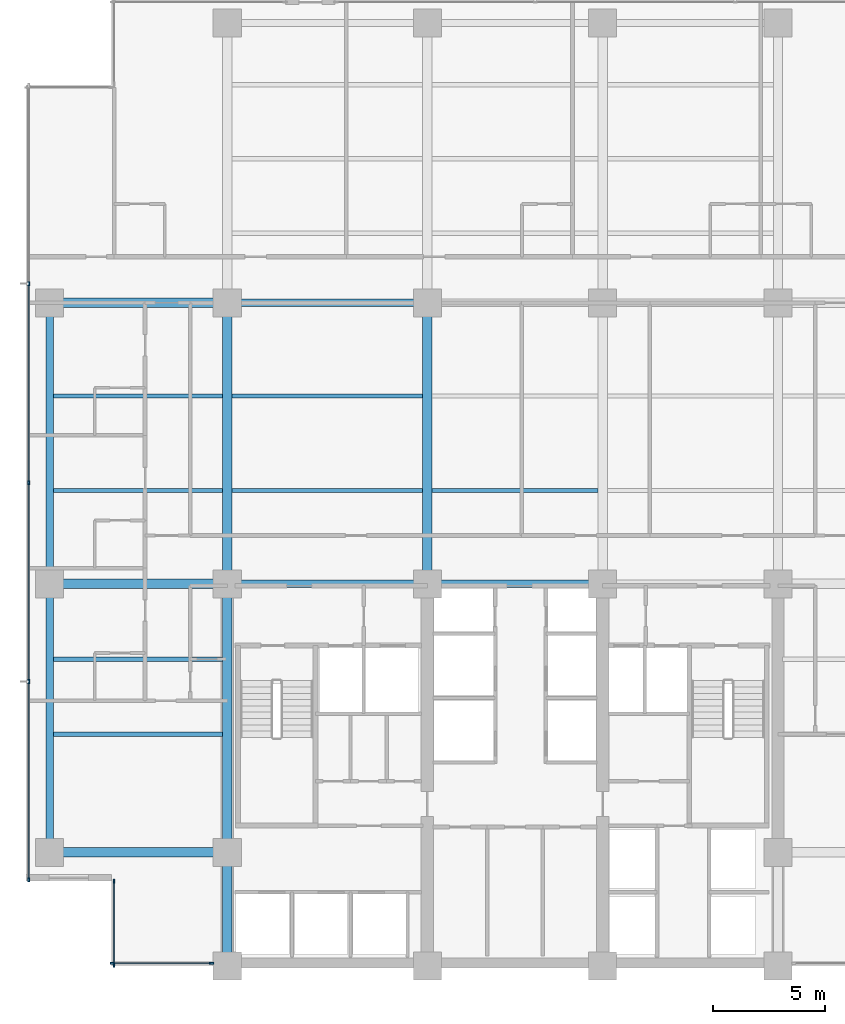
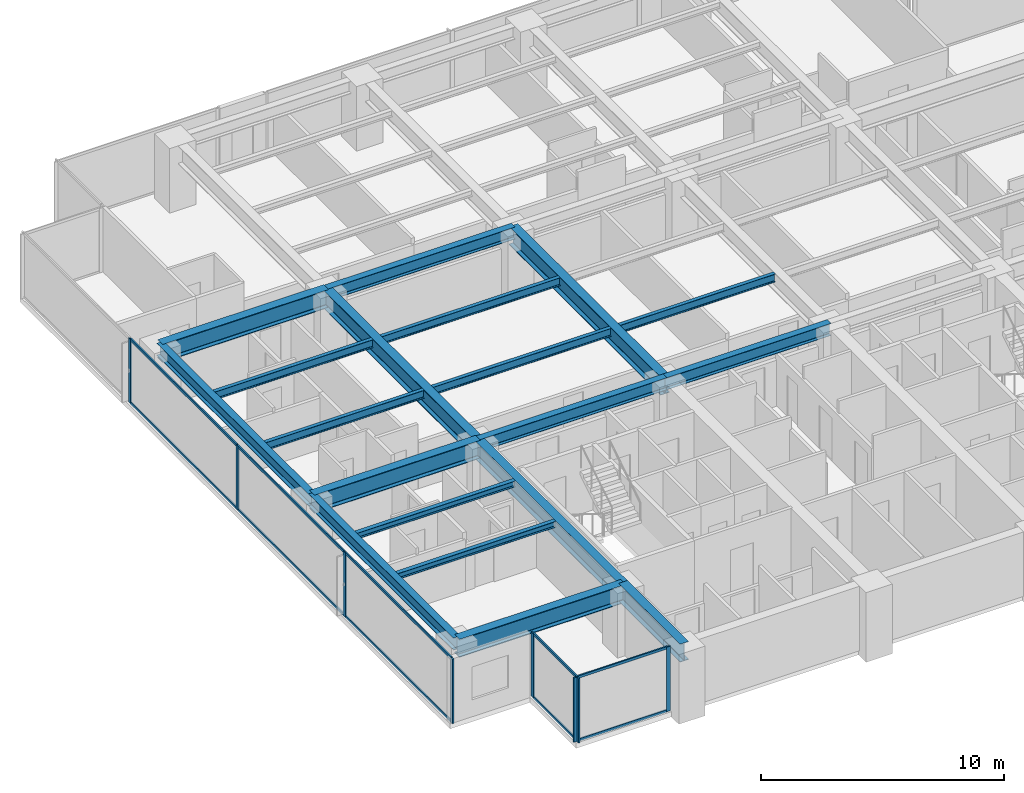
# One storey, part 2 of 18: 19 beams, 18 members, 3 elements without a shape of their own.
"""IFC4 building model written with IfcOpenShell, lengths in metres."""

from ifc_helpers import new_model, si_unit, direction, frame, origin, origin_2d, place, context, subcontext, project, spatial, rectangle, i_section, extrude, material, layer, layer_set, material_profile, profile_set, type_object, element, aggregate, save


model = new_model("IFC4")

# Units and contexts
model_context = context("Model", 3, precision=1e-05, world=origin(), true_north=direction((0.0, 1.0)))
body_context = subcontext(model_context, "Body", "Model", "MODEL_VIEW")
ifc_project = project(units=[si_unit("LENGTHUNIT", "METRE"), si_unit("AREAUNIT", "SQUARE_METRE"), si_unit("VOLUMEUNIT", "CUBIC_METRE"), si_unit("PLANEANGLEUNIT", "RADIAN"), si_unit("MASSUNIT", "GRAM", prefix="KILO")], contexts=[model_context])

# Site, building, storey
site_placement = place(None, origin())
site = spatial("IfcSite", under=ifc_project, at=site_placement, CompositionType="ELEMENT")
building_placement = place(site_placement, origin())
building = spatial("IfcBuilding", under=site, at=building_placement, Name="Qalmaran Belvedere Hotel", CompositionType="ELEMENT")
storey_placement = place(building_placement, frame((0.0, 0.0, 95.199951171875)))
storey = spatial("IfcBuildingStorey", under=building, at=storey_placement, Name="L23", CompositionType="ELEMENT", Elevation=95.199951171875)

# Beams
ifc_material_1 = material(Name="Steel S355JR", Category="steel")
ifc_material_profile_1 = material_profile(ifc_material_1, i_section(OverallWidth=0.202880859375, OverallDepth=0.302978515625, WebThickness=0.007568359375, FlangeThickness=0.01318359375, FilletRadius=0.012939453125, at=origin_2d()), Name="W310X60")
ifc_profile_set_1 = profile_set([ifc_material_profile_1], Name="Steel S355JR")
beam_type_1 = type_object("IfcBeamType", Name="BM-JST-W310X60", PredefinedType="JOIST", material=ifc_profile_set_1)
for number, where, z_axis, x_axis, name in (
    (1, (12.5615234375, 13.800048828125, 3.088623046875), (1.0, 0.0, 0.0), (0.0, 1.0, 0.0), "L23 West Wing Joist 038"),
    (2, (12.5615234375, 17.14990234375, 3.088623046875), (1.0, 0.0, 0.0), (0.0, 1.0, 0.0), "L23 West Wing Joist 040"),
):
    element("IfcBeam", number, at=place(storey_placement, frame(where, z_axis=z_axis, x_axis=x_axis)), inside=storey, type_object=beam_type_1, Name=name, PredefinedType="JOIST", context=body_context, shape_type="SweptSolid", body=[
        extrude(i_section(OverallWidth=0.202880859375, OverallDepth=0.302978515625, WebThickness=0.007568359375, FlangeThickness=0.01318359375, FilletRadius=0.012939453125, at=origin_2d()), origin(), (0.0, 0.0, 1.0), 7.531494140625),
    ])
ifc_material_profile_2 = material_profile(ifc_material_1, i_section(OverallWidth=0.41796875, OverallDepth=0.912109375, WebThickness=0.019287109375, FlangeThickness=0.031982421875, FilletRadius=0.02392578125, at=origin_2d()), Name="W920X342")
ifc_profile_set_2 = profile_set([ifc_material_profile_2], Name="Steel S355JR")
beam_type_2 = type_object("IfcBeamType", Name="BM-PG2-W920X342", PredefinedType="USERDEFINED", material=ifc_profile_set_2)
for number, where, z_axis, x_axis, name in (
    (3, (20.300048828125, 20.5, 2.783935546875), (0.0, 1.0, 0.0), (-1.0, 0.0, 0.0), "L23 Mid-Plate N-S Girder 14"),
    (4, (29.199951171875, 20.5, 2.783935546875), (0.0, 1.0, 0.0), (-1.0, 0.0, 0.0), "L23 Mid-Plate N-S Girder 16"),
):
    element("IfcBeam", number, at=place(storey_placement, frame(where, z_axis=z_axis, x_axis=x_axis)), inside=storey, type_object=beam_type_2, Name=name, ObjectType="GIRDER", PredefinedType="USERDEFINED", context=body_context, shape_type="SweptSolid", body=[
        extrude(i_section(OverallWidth=0.41796875, OverallDepth=0.912109375, WebThickness=0.019287109375, FlangeThickness=0.031982421875, FilletRadius=0.02392578125, at=origin_2d()), origin(), (0.0, 0.0, 1.0), 12.5),
    ])
for number, where, z_axis, x_axis, name in (
    (5, (12.39990234375, 8.550048828125, 2.783935546875), (1.0, 0.0, 0.0), (0.0, 1.0, 0.0), "L23 West Wing Girder 22"),
    (6, (12.39990234375, 20.5, 2.783935546875), (1.0, 0.0, 0.0), (0.0, 1.0, 0.0), "L23 West Wing Girder 23"),
    (7, (12.39990234375, 33.0, 2.783935546875), (1.0, 0.0, 0.0), (0.0, 1.0, 0.0), "L23 West Wing Girder 24"),
):
    element("IfcBeam", number, at=place(storey_placement, frame(where, z_axis=z_axis, x_axis=x_axis)), inside=storey, type_object=beam_type_2, Name=name, ObjectType="GIRDER", PredefinedType="USERDEFINED", context=body_context, shape_type="SweptSolid", body=[
        extrude(i_section(OverallWidth=0.41796875, OverallDepth=0.912109375, WebThickness=0.019287109375, FlangeThickness=0.031982421875, FilletRadius=0.02392578125, at=origin_2d()), origin(), (0.0, 0.0, 1.0), 7.900146484375),
    ])
beam_1_placement = place(storey_placement, frame((20.300048828125, 3.5, 2.783935546875), z_axis=(0.0, 1.0, 0.0), x_axis=(-1.0, 0.0, 0.0)))
element("IfcBeam", 8, at=beam_1_placement, inside=storey, type_object=beam_type_2, Name="L23 West Core Edge Girder A", ObjectType="GIRDER", PredefinedType="USERDEFINED", context=body_context, shape_type="SweptSolid", body=[
    extrude(i_section(OverallWidth=0.41796875, OverallDepth=0.912109375, WebThickness=0.019287109375, FlangeThickness=0.031982421875, FilletRadius=0.02392578125, at=origin_2d()), origin(), (0.0, 0.0, 1.0), 5.050048828125),
])
beam_2_placement = place(storey_placement, frame((20.300048828125, 8.550048828125, 2.783935546875), z_axis=(0.0, 1.0, 0.0), x_axis=(-1.0, 0.0, 0.0)))
element("IfcBeam", 9, at=beam_2_placement, inside=storey, type_object=beam_type_2, Name="L23 West Core Edge Girder B", ObjectType="GIRDER", PredefinedType="USERDEFINED", context=body_context, shape_type="SweptSolid", body=[
    extrude(i_section(OverallWidth=0.41796875, OverallDepth=0.912109375, WebThickness=0.019287109375, FlangeThickness=0.031982421875, FilletRadius=0.02392578125, at=origin_2d()), origin(), (0.0, 0.0, 1.0), 11.949951171875),
])
ifc_material_profile_3 = material_profile(ifc_material_1, i_section(OverallWidth=0.177978515625, OverallDepth=0.406982421875, WebThickness=0.0078125, FlangeThickness=0.0126953125, FilletRadius=0.014892578125, at=origin_2d()), Name="W410X60")
ifc_profile_set_3 = profile_set([ifc_material_profile_3], Name="Steel S355JR")
beam_type_3 = type_object("IfcBeamType", Name="BM-SB2-W410X60", PredefinedType="BEAM", material=ifc_profile_set_3)
beam_3_placement = place(storey_placement, frame((12.5615234375, 24.64990234375, 3.03662109375), z_axis=(1.0, 0.0, 0.0), x_axis=(0.0, 1.0, 0.0)))
element("IfcBeam", 10, at=beam_3_placement, inside=storey, type_object=beam_type_3, Name="L23 West Secondary Beam 028", PredefinedType="BEAM", context=body_context, shape_type="SweptSolid", body=[
    extrude(i_section(OverallWidth=0.177978515625, OverallDepth=0.406982421875, WebThickness=0.0078125, FlangeThickness=0.0126953125, FilletRadius=0.014892578125, at=origin_2d()), origin(), (0.0, 0.0, 1.0), 7.531494140625),
])
beam_4_placement = place(storey_placement, frame((20.507080078125, 24.64990234375, 3.03662109375), z_axis=(1.0, 0.0, 0.0), x_axis=(0.0, 1.0, 0.0)))
element("IfcBeam", 11, at=beam_4_placement, inside=storey, type_object=beam_type_3, Name="L23 Secondary Floor Beam 029", PredefinedType="BEAM", context=body_context, shape_type="SweptSolid", body=[
    extrude(i_section(OverallWidth=0.177978515625, OverallDepth=0.406982421875, WebThickness=0.0078125, FlangeThickness=0.0126953125, FilletRadius=0.014892578125, at=origin_2d()), origin(), (0.0, 0.0, 1.0), 8.48583984375),
])
beam_5_placement = place(storey_placement, frame((29.406982421875, 24.64990234375, 3.03662109375), z_axis=(1.0, 0.0, 0.0), x_axis=(0.0, 1.0, 0.0)))
element("IfcBeam", 12, at=beam_5_placement, inside=storey, type_object=beam_type_3, Name="L23 Secondary Floor Beam 030", PredefinedType="BEAM", context=body_context, shape_type="SweptSolid", body=[
    extrude(i_section(OverallWidth=0.177978515625, OverallDepth=0.406982421875, WebThickness=0.0078125, FlangeThickness=0.0126953125, FilletRadius=0.014892578125, at=origin_2d()), origin(), (0.0, 0.0, 1.0), 7.385986328125),
])
beam_6_placement = place(storey_placement, frame((12.5615234375, 28.85009765625, 3.03662109375), z_axis=(1.0, 0.0, 0.0), x_axis=(0.0, 1.0, 0.0)))
element("IfcBeam", 13, at=beam_6_placement, inside=storey, type_object=beam_type_3, Name="L23 West Secondary Beam 033", PredefinedType="BEAM", context=body_context, shape_type="SweptSolid", body=[
    extrude(i_section(OverallWidth=0.177978515625, OverallDepth=0.406982421875, WebThickness=0.0078125, FlangeThickness=0.0126953125, FilletRadius=0.014892578125, at=origin_2d()), origin(), (0.0, 0.0, 1.0), 7.531494140625),
])
beam_7_placement = place(storey_placement, frame((20.507080078125, 28.85009765625, 3.03662109375), z_axis=(1.0, 0.0, 0.0), x_axis=(0.0, 1.0, 0.0)))
element("IfcBeam", 14, at=beam_7_placement, inside=storey, type_object=beam_type_3, Name="L23 Secondary Floor Beam 034", PredefinedType="BEAM", context=body_context, shape_type="SweptSolid", body=[
    extrude(i_section(OverallWidth=0.177978515625, OverallDepth=0.406982421875, WebThickness=0.0078125, FlangeThickness=0.0126953125, FilletRadius=0.014892578125, at=origin_2d()), origin(), (0.0, 0.0, 1.0), 8.48583984375),
])
ifc_material_profile_4 = material_profile(ifc_material_1, i_section(OverallWidth=0.326904296875, OverallDepth=0.6220703125, WebThickness=0.015380859375, FlangeThickness=0.0244140625, FilletRadius=0.02001953125, at=origin_2d()), Name="W610X195")
ifc_profile_set_4 = profile_set([ifc_material_profile_4], Name="Steel S355JR")
beam_type_4 = type_object("IfcBeamType", Name="BM-SP1-W610X195", PredefinedType="SPANDREL", material=ifc_profile_set_4)
beam_8_placement = place(storey_placement, frame((12.39990234375, 8.550048828125, 2.928955078125), z_axis=(0.0, 1.0, 0.0), x_axis=(-1.0, 0.0, 0.0)))
element("IfcBeam", 15, at=beam_8_placement, inside=storey, type_object=beam_type_4, Name="L23 Perimeter Spandrel 01", PredefinedType="SPANDREL", context=body_context, shape_type="SweptSolid", body=[
    extrude(i_section(OverallWidth=0.326904296875, OverallDepth=0.6220703125, WebThickness=0.015380859375, FlangeThickness=0.0244140625, FilletRadius=0.02001953125, at=origin_2d()), origin(), (0.0, 0.0, 1.0), 11.949951171875),
])
beam_9_placement = place(storey_placement, frame((12.39990234375, 20.5, 2.928955078125), z_axis=(0.0, 1.0, 0.0), x_axis=(-1.0, 0.0, 0.0)))
element("IfcBeam", 16, at=beam_9_placement, inside=storey, type_object=beam_type_4, Name="L23 Perimeter Spandrel 02", PredefinedType="SPANDREL", context=body_context, shape_type="SweptSolid", body=[
    extrude(i_section(OverallWidth=0.326904296875, OverallDepth=0.6220703125, WebThickness=0.015380859375, FlangeThickness=0.0244140625, FilletRadius=0.02001953125, at=origin_2d()), origin(), (0.0, 0.0, 1.0), 12.5),
])
ifc_material_profile_5 = material_profile(ifc_material_1, i_section(OverallWidth=0.323974609375, OverallDepth=0.611083984375, WebThickness=0.0126953125, FlangeThickness=0.01904296875, FilletRadius=0.02001953125, at=origin_2d()), Name="W610X155")
ifc_profile_set_5 = profile_set([ifc_material_profile_5], Name="Steel S355JR")
beam_type_5 = type_object("IfcBeamType", Name="BM-Z2-W610X155", PredefinedType="USERDEFINED", material=ifc_profile_set_5)
beam_10_placement = place(storey_placement, frame((20.300048828125, 20.5, 2.9345703125), z_axis=(1.0, 0.0, 0.0), x_axis=(0.0, 1.0, 0.0)))
element("IfcBeam", 17, at=beam_10_placement, inside=storey, type_object=beam_type_5, Name="L23 Interior E-W Girder 08", ObjectType="GIRDER", PredefinedType="USERDEFINED", context=body_context, shape_type="SweptSolid", body=[
    extrude(i_section(OverallWidth=0.323974609375, OverallDepth=0.611083984375, WebThickness=0.0126953125, FlangeThickness=0.01904296875, FilletRadius=0.02001953125, at=origin_2d()), origin(), (0.0, 0.0, 1.0), 8.89990234375),
])
beam_11_placement = place(storey_placement, frame((29.199951171875, 20.5, 2.9345703125), z_axis=(1.0, 0.0, 0.0), x_axis=(0.0, 1.0, 0.0)))
element("IfcBeam", 18, at=beam_11_placement, inside=storey, type_object=beam_type_5, Name="L23 Interior E-W Girder 09", ObjectType="GIRDER", PredefinedType="USERDEFINED", context=body_context, shape_type="SweptSolid", body=[
    extrude(i_section(OverallWidth=0.323974609375, OverallDepth=0.611083984375, WebThickness=0.0126953125, FlangeThickness=0.01904296875, FilletRadius=0.02001953125, at=origin_2d()), origin(), (0.0, 0.0, 1.0), 7.800048828125),
])
beam_12_placement = place(storey_placement, frame((20.300048828125, 33.0, 2.9345703125), z_axis=(1.0, 0.0, 0.0), x_axis=(0.0, 1.0, 0.0)))
element("IfcBeam", 19, at=beam_12_placement, inside=storey, type_object=beam_type_5, Name="L23 Interior E-W Girder 11", ObjectType="GIRDER", PredefinedType="USERDEFINED", context=body_context, shape_type="SweptSolid", body=[
    extrude(i_section(OverallWidth=0.323974609375, OverallDepth=0.611083984375, WebThickness=0.0126953125, FlangeThickness=0.01904296875, FilletRadius=0.02001953125, at=origin_2d()), origin(), (0.0, 0.0, 1.0), 8.89990234375),
])

# Curtain wall, members
ifc_material_2 = material(Name="Anodised Bronze Aluminium", Category="aluminium")
ifc_layer = layer(ifc_material_2, 0.199951171875, Name="Anodised Bronze Aluminium")
ifc_layer_set = layer_set([ifc_layer], Name="Anodised Bronze Aluminium")
curtain_wall_type = type_object("IfcCurtainWallType", Name="CW3-TOWER-LOWMID", PredefinedType="NOTDEFINED", material=ifc_layer_set)
curtain_wall_1_placement = place(storey_placement, origin())
curtain_wall_1 = element("IfcCurtainWall", 20, at=curtain_wall_1_placement, inside=storey, type_object=curtain_wall_type, Name="L23 Curtain Wall CW3", PredefinedType="NOTDEFINED")
ifc_material_profile_6 = material_profile(ifc_material_2, rectangle(XDim=0.070068359375, YDim=0.18994140625, at=origin_2d()), Name="CWM70X190")
ifc_profile_set_6 = profile_set([ifc_material_profile_6], Name="Anodised Bronze Aluminium")
member_type_1 = type_object("IfcMemberType", Name="CWM-70X190", PredefinedType="MULLION", material=ifc_profile_set_6)
member_1_placement = place(storey_placement, frame((15.18505859375, 3.6201171875, 0.0), z_axis=(0.0, 0.0, 1.0), x_axis=(0.0, 1.0, 0.0)))
member_1 = element("IfcMember", 21, at=member_1_placement, type_object=member_type_1, Name="CW3 mullion 1", PredefinedType="MULLION", context=body_context, shape_type="SweptSolid", body=[
    extrude(rectangle(XDim=0.070068359375, YDim=0.18994140625, at=origin_2d()), origin(), (0.0, 0.0, 1.0), 3.239990234375),
])
member_2_placement = place(storey_placement, frame((19.60009765625, 3.6201171875, 0.0), z_axis=(0.0, 0.0, 1.0), x_axis=(0.0, 1.0, 0.0)))
member_2 = element("IfcMember", 22, at=member_2_placement, type_object=member_type_1, Name="CW3 mullion 2", PredefinedType="MULLION", context=body_context, shape_type="SweptSolid", body=[
    extrude(rectangle(XDim=0.070068359375, YDim=0.18994140625, at=origin_2d()), origin(), (0.0, 0.0, 1.0), 3.239990234375),
])

curtain_wall_2_placement = place(storey_placement, origin())
curtain_wall_2 = element("IfcCurtainWall", 23, at=curtain_wall_2_placement, inside=storey, type_object=curtain_wall_type, Name="L23 Curtain Wall CW3", PredefinedType="NOTDEFINED")
member_3_placement = place(storey_placement, frame((11.469970703125, 33.85009765625, 0.0), z_axis=(0.0, 0.0, 1.0), x_axis=(1.0, 0.0, 0.0)))
member_3 = element("IfcMember", 24, at=member_3_placement, type_object=member_type_1, Name="CW3 mullion 2", PredefinedType="MULLION", context=body_context, shape_type="SweptSolid", body=[
    extrude(rectangle(XDim=0.070068359375, YDim=0.18994140625, at=origin_2d()), origin(), (0.0, 0.0, 1.0), 3.239990234375),
])
member_4_placement = place(storey_placement, frame((11.469970703125, 25.0, 0.0), z_axis=(0.0, 0.0, 1.0), x_axis=(1.0, 0.0, 0.0)))
member_4 = element("IfcMember", 25, at=member_4_placement, type_object=member_type_1, Name="CW3 mullion 3", PredefinedType="MULLION", context=body_context, shape_type="SweptSolid", body=[
    extrude(rectangle(XDim=0.070068359375, YDim=0.18994140625, at=origin_2d()), origin(), (0.0, 0.0, 1.0), 3.239990234375),
])
member_5_placement = place(storey_placement, frame((11.469970703125, 16.14990234375, 0.0), z_axis=(0.0, 0.0, 1.0), x_axis=(1.0, 0.0, 0.0)))
member_5 = element("IfcMember", 26, at=member_5_placement, type_object=member_type_1, Name="CW3 mullion 4", PredefinedType="MULLION", context=body_context, shape_type="SweptSolid", body=[
    extrude(rectangle(XDim=0.070068359375, YDim=0.18994140625, at=origin_2d()), origin(), (0.0, 0.0, 1.0), 3.239990234375),
])
member_6_placement = place(storey_placement, frame((11.469970703125, 7.3349609375, 0.0), z_axis=(0.0, 0.0, 1.0), x_axis=(1.0, 0.0, 0.0)))
member_6 = element("IfcMember", 27, at=member_6_placement, type_object=member_type_1, Name="CW3 mullion 5", PredefinedType="MULLION", context=body_context, shape_type="SweptSolid", body=[
    extrude(rectangle(XDim=0.070068359375, YDim=0.18994140625, at=origin_2d()), origin(), (0.0, 0.0, 1.0), 3.239990234375),
])

curtain_wall_3_placement = place(storey_placement, origin())
curtain_wall_3 = element("IfcCurtainWall", 28, at=curtain_wall_3_placement, inside=storey, type_object=curtain_wall_type, Name="L23 Curtain Wall CW3", PredefinedType="NOTDEFINED")
member_7_placement = place(storey_placement, frame((15.27001953125, 7.264892578125, 0.0), z_axis=(0.0, 0.0, 1.0), x_axis=(1.0, 0.0, 0.0)))
member_7 = element("IfcMember", 29, at=member_7_placement, type_object=member_type_1, Name="CW3 mullion 1", PredefinedType="MULLION", context=body_context, shape_type="SweptSolid", body=[
    extrude(rectangle(XDim=0.070068359375, YDim=0.18994140625, at=origin_2d()), origin(), (0.0, 0.0, 1.0), 3.239990234375),
])
member_8_placement = place(storey_placement, frame((15.27001953125, 3.534912109375, 0.0), z_axis=(0.0, 0.0, 1.0), x_axis=(1.0, 0.0, 0.0)))
member_8 = element("IfcMember", 30, at=member_8_placement, type_object=member_type_1, Name="CW3 mullion 2", PredefinedType="MULLION", context=body_context, shape_type="SweptSolid", body=[
    extrude(rectangle(XDim=0.070068359375, YDim=0.18994140625, at=origin_2d()), origin(), (0.0, 0.0, 1.0), 3.239990234375),
])

# Member
ifc_material_profile_7 = material_profile(ifc_material_2, rectangle(XDim=0.06494140625, YDim=0.1298828125, at=origin_2d()), Name="CWT65X130")
ifc_profile_set_7 = profile_set([ifc_material_profile_7], Name="Anodised Bronze Aluminium")
member_type_2 = type_object("IfcMemberType", Name="CWT-65X130", PredefinedType="USERDEFINED", material=ifc_profile_set_7)
member_9_placement = place(storey_placement, frame((15.219970703125, 3.6201171875, 0.032470703125), z_axis=(1.0, 0.0, 0.0), x_axis=(0.0, 1.0, 0.0)))
member_9 = element("IfcMember", 31, at=member_9_placement, type_object=member_type_2, Name="CW3 transom 1.1", ObjectType="TRANSOM", PredefinedType="USERDEFINED", context=body_context, shape_type="SweptSolid", body=[
    extrude(rectangle(XDim=0.06494140625, YDim=0.1298828125, at=origin_2d()), origin(), (0.0, 0.0, 1.0), 4.344970703125),
])

member_10_placement = place(storey_placement, frame((15.219970703125, 3.6201171875, 3.20751953125), z_axis=(1.0, 0.0, 0.0), x_axis=(0.0, 1.0, 0.0)))
member_10 = element("IfcMember", 32, at=member_10_placement, type_object=member_type_2, Name="CW3 transom 1.2", ObjectType="TRANSOM", PredefinedType="USERDEFINED", context=body_context, shape_type="SweptSolid", body=[
    extrude(rectangle(XDim=0.06494140625, YDim=0.1298828125, at=origin_2d()), origin(), (0.0, 0.0, 1.0), 4.344970703125),
])

aggregate(curtain_wall_1, [member_1, member_2, member_9, member_10])

member_11_placement = place(storey_placement, frame((11.469970703125, 33.81494140625, 0.032470703125), z_axis=(0.0, -1.0, 0.0), x_axis=(1.0, 0.0, 0.0)))
member_11 = element("IfcMember", 33, at=member_11_placement, type_object=member_type_2, Name="CW3 transom 2.1", ObjectType="TRANSOM", PredefinedType="USERDEFINED", context=body_context, shape_type="SweptSolid", body=[
    extrude(rectangle(XDim=0.06494140625, YDim=0.1298828125, at=origin_2d()), origin(), (0.0, 0.0, 1.0), 8.780029296875),
])

member_12_placement = place(storey_placement, frame((11.469970703125, 33.81494140625, 3.20751953125), z_axis=(0.0, -1.0, 0.0), x_axis=(1.0, 0.0, 0.0)))
member_12 = element("IfcMember", 34, at=member_12_placement, type_object=member_type_2, Name="CW3 transom 2.2", ObjectType="TRANSOM", PredefinedType="USERDEFINED", context=body_context, shape_type="SweptSolid", body=[
    extrude(rectangle(XDim=0.06494140625, YDim=0.1298828125, at=origin_2d()), origin(), (0.0, 0.0, 1.0), 8.780029296875),
])

member_13_placement = place(storey_placement, frame((11.469970703125, 24.965087890625, 0.032470703125), z_axis=(0.0, -1.0, 0.0), x_axis=(1.0, 0.0, 0.0)))
member_13 = element("IfcMember", 35, at=member_13_placement, type_object=member_type_2, Name="CW3 transom 3.1", ObjectType="TRANSOM", PredefinedType="USERDEFINED", context=body_context, shape_type="SweptSolid", body=[
    extrude(rectangle(XDim=0.06494140625, YDim=0.1298828125, at=origin_2d()), origin(), (0.0, 0.0, 1.0), 8.780029296875),
])

member_14_placement = place(storey_placement, frame((11.469970703125, 24.965087890625, 3.20751953125), z_axis=(0.0, -1.0, 0.0), x_axis=(1.0, 0.0, 0.0)))
member_14 = element("IfcMember", 36, at=member_14_placement, type_object=member_type_2, Name="CW3 transom 3.2", ObjectType="TRANSOM", PredefinedType="USERDEFINED", context=body_context, shape_type="SweptSolid", body=[
    extrude(rectangle(XDim=0.06494140625, YDim=0.1298828125, at=origin_2d()), origin(), (0.0, 0.0, 1.0), 8.780029296875),
])

member_15_placement = place(storey_placement, frame((11.469970703125, 16.114990234375, 0.032470703125), z_axis=(0.0, -1.0, 0.0), x_axis=(1.0, 0.0, 0.0)))
member_15 = element("IfcMember", 37, at=member_15_placement, type_object=member_type_2, Name="CW3 transom 4.1", ObjectType="TRANSOM", PredefinedType="USERDEFINED", context=body_context, shape_type="SweptSolid", body=[
    extrude(rectangle(XDim=0.06494140625, YDim=0.1298828125, at=origin_2d()), origin(), (0.0, 0.0, 1.0), 8.744873046875),
])

member_16_placement = place(storey_placement, frame((11.469970703125, 16.114990234375, 3.20751953125), z_axis=(0.0, -1.0, 0.0), x_axis=(1.0, 0.0, 0.0)))
member_16 = element("IfcMember", 38, at=member_16_placement, type_object=member_type_2, Name="CW3 transom 4.2", ObjectType="TRANSOM", PredefinedType="USERDEFINED", context=body_context, shape_type="SweptSolid", body=[
    extrude(rectangle(XDim=0.06494140625, YDim=0.1298828125, at=origin_2d()), origin(), (0.0, 0.0, 1.0), 8.744873046875),
])

aggregate(curtain_wall_2, [member_3, member_4, member_5, member_6, member_11, member_12, member_13, member_14, member_15, member_16])

member_17_placement = place(storey_placement, frame((15.27001953125, 7.22998046875, 0.032470703125), z_axis=(0.0, -1.0, 0.0), x_axis=(1.0, 0.0, 0.0)))
member_17 = element("IfcMember", 39, at=member_17_placement, type_object=member_type_2, Name="CW3 transom 1.1", ObjectType="TRANSOM", PredefinedType="USERDEFINED", context=body_context, shape_type="SweptSolid", body=[
    extrude(rectangle(XDim=0.06494140625, YDim=0.1298828125, at=origin_2d()), origin(), (0.0, 0.0, 1.0), 3.659912109375),
])

member_18_placement = place(storey_placement, frame((15.27001953125, 7.22998046875, 3.20751953125), z_axis=(0.0, -1.0, 0.0), x_axis=(1.0, 0.0, 0.0)))
member_18 = element("IfcMember", 40, at=member_18_placement, type_object=member_type_2, Name="CW3 transom 1.2", ObjectType="TRANSOM", PredefinedType="USERDEFINED", context=body_context, shape_type="SweptSolid", body=[
    extrude(rectangle(XDim=0.06494140625, YDim=0.1298828125, at=origin_2d()), origin(), (0.0, 0.0, 1.0), 3.659912109375),
])

aggregate(curtain_wall_3, [member_7, member_8, member_17, member_18])

save(model, "model.ifc")
